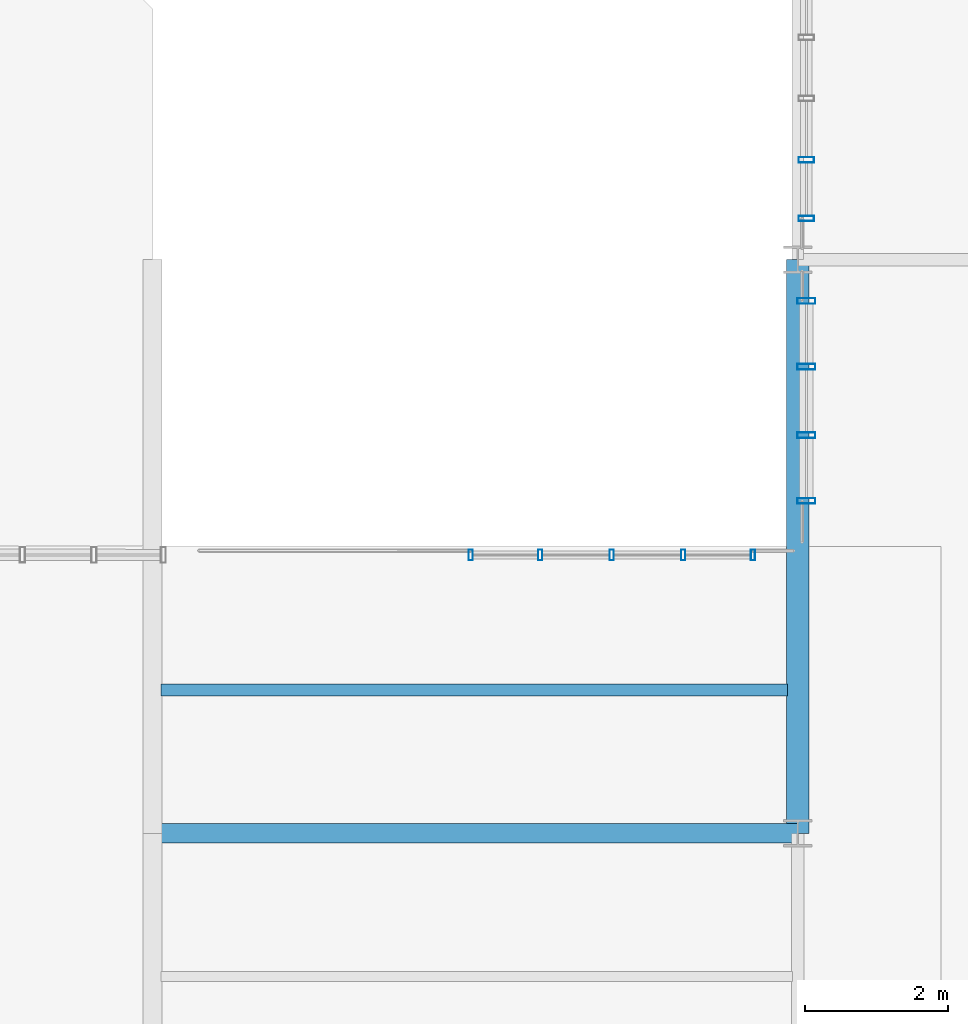
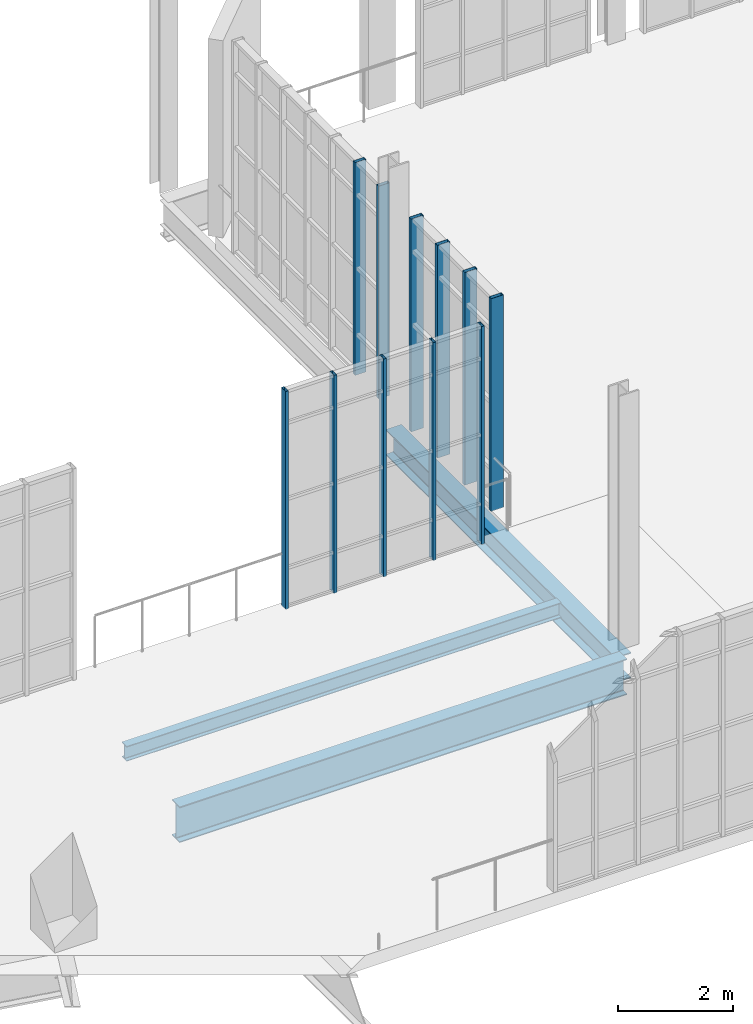
# One storey, part 61 of 142: 11 members, 3 beams, 3 elements without a shape of their own.
"""IFC4 building model written with IfcOpenShell, lengths in metres."""

from ifc_helpers import new_model, si_unit, direction, frame, origin, origin_2d, place, context, subcontext, project, spatial, hollow_rectangle, i_section, extrude, material, layer, layer_set, material_profile, profile_set, type_object, element, aggregate, save


model = new_model("IFC4")

# Units and contexts
model_context = context("Model", 3, precision=1e-05, world=origin(), true_north=direction((0.0, 1.0)))
body_context = subcontext(model_context, "Body", "Model", "MODEL_VIEW")
ifc_project = project(units=[si_unit("LENGTHUNIT", "METRE"), si_unit("AREAUNIT", "SQUARE_METRE"), si_unit("VOLUMEUNIT", "CUBIC_METRE"), si_unit("PLANEANGLEUNIT", "RADIAN"), si_unit("MASSUNIT", "GRAM", prefix="KILO"), si_unit("THERMODYNAMICTEMPERATUREUNIT", "KELVIN"), si_unit("POWERUNIT", "WATT")], contexts=[model_context])

# Site, building, storey
site_placement = place(None, origin())
site = spatial("IfcSite", under=ifc_project, at=site_placement, CompositionType="ELEMENT")
building_placement = place(site_placement, origin())
building = spatial("IfcBuilding", under=site, at=building_placement, Name="Zelmaris Science Centre", CompositionType="ELEMENT")
storey_placement = place(building_placement, frame((0.0, 0.0, 5.39990234375)))
storey = spatial("IfcBuildingStorey", under=building, at=storey_placement, Name="L01", CompositionType="ELEMENT", Elevation=5.39990234375)

# Curtain wall, members
ifc_material_1 = material(Name="Anodised architectural aluminium 6063-T6", Category="aluminium")
ifc_layer_1 = layer(ifc_material_1, 0.219970703125, Name="Anodised architectural aluminium 6063-T6")
ifc_layer_set_1 = layer_set([ifc_layer_1], Name="Anodised architectural aluminium 6063-T6")
curtain_wall_type_1 = type_object("IfcCurtainWallType", Name="Curtain Wall CW-04", PredefinedType="USERDEFINED", material=ifc_layer_set_1)
curtain_wall_1_placement = place(storey_placement, origin())
curtain_wall_1 = element("IfcCurtainWall", 1, at=curtain_wall_1_placement, inside=storey, type_object=curtain_wall_type_1, Name="L01 Unitised curtain wall 128", ObjectType="GLAZED CURTAIN WALL", PredefinedType="USERDEFINED")
ifc_material_profile_1 = material_profile(ifc_material_1, hollow_rectangle(XDim=0.06005859375, YDim=0.14990234375, WallThickness=0.00341796875, at=origin_2d()), Name="ALU-MUL-60X150")
ifc_profile_set_1 = profile_set([ifc_material_profile_1], Name="Anodised architectural aluminium 6063-T6")
member_type_1 = type_object("IfcMemberType", Name="ALU-MUL-60X150", PredefinedType="MULLION", material=ifc_profile_set_1)
member_1_placement = place(storey_placement, frame((49.43701171875, 75.880859375, -0.014892578125), z_axis=(0.0, 0.0, 1.0), x_axis=(0.999999981234, -0.000193731546, 0.0)))
member_1 = element("IfcMember", 2, at=member_1_placement, type_object=member_type_1, Name="CW-04 mullion 1", PredefinedType="MULLION", context=body_context, shape_type="SweptSolid", body=[
    extrude(hollow_rectangle(XDim=0.06005859375, YDim=0.14990234375, WallThickness=0.00341796875, at=origin_2d()), origin(), (0.0, 0.0, 1.0), 4.635009765625),
])
member_2_placement = place(storey_placement, frame((50.408203125, 75.880615234375, -0.014892578125), z_axis=(0.0, 0.0, 1.0), x_axis=(0.999999981234, -0.000193731546, 0.0)))
member_2 = element("IfcMember", 3, at=member_2_placement, type_object=member_type_1, Name="CW-04 mullion 2", PredefinedType="MULLION", context=body_context, shape_type="SweptSolid", body=[
    extrude(hollow_rectangle(XDim=0.06005859375, YDim=0.14990234375, WallThickness=0.00341796875, at=origin_2d()), origin(), (0.0, 0.0, 1.0), 4.635009765625),
])
member_3_placement = place(storey_placement, frame((51.405517578125, 75.880615234375, -0.014892578125), z_axis=(0.0, 0.0, 1.0), x_axis=(0.999999981234, -0.000193731546, 0.0)))
member_3 = element("IfcMember", 4, at=member_3_placement, type_object=member_type_1, Name="CW-04 mullion 3", PredefinedType="MULLION", context=body_context, shape_type="SweptSolid", body=[
    extrude(hollow_rectangle(XDim=0.06005859375, YDim=0.14990234375, WallThickness=0.00341796875, at=origin_2d()), origin(), (0.0, 0.0, 1.0), 4.635009765625),
])
member_4_placement = place(storey_placement, frame((52.40283203125, 75.88037109375, -0.014892578125), z_axis=(0.0, 0.0, 1.0), x_axis=(0.999999981234, -0.000193731546, 0.0)))
member_4 = element("IfcMember", 5, at=member_4_placement, type_object=member_type_1, Name="CW-04 mullion 4", PredefinedType="MULLION", context=body_context, shape_type="SweptSolid", body=[
    extrude(hollow_rectangle(XDim=0.06005859375, YDim=0.14990234375, WallThickness=0.00341796875, at=origin_2d()), origin(), (0.0, 0.0, 1.0), 4.635009765625),
])
member_5_placement = place(storey_placement, frame((53.3740234375, 75.880126953125, -0.014892578125), z_axis=(0.0, 0.0, 1.0), x_axis=(0.999999981234, -0.000193731546, 0.0)))
member_5 = element("IfcMember", 6, at=member_5_placement, type_object=member_type_1, Name="CW-04 mullion 5", PredefinedType="MULLION", context=body_context, shape_type="SweptSolid", body=[
    extrude(hollow_rectangle(XDim=0.06005859375, YDim=0.14990234375, WallThickness=0.00341796875, at=origin_2d()), origin(), (0.0, 0.0, 1.0), 4.635009765625),
])
aggregate(curtain_wall_1, [member_1, member_2, member_3, member_4, member_5])

ifc_layer_2 = layer(ifc_material_1, 0.199951171875, Name="Anodised architectural aluminium 6063-T6")
ifc_layer_set_2 = layer_set([ifc_layer_2], Name="Anodised architectural aluminium 6063-T6")
curtain_wall_type_2 = type_object("IfcCurtainWallType", Name="Curtain Wall CW-02", PredefinedType="USERDEFINED", material=ifc_layer_set_2)
curtain_wall_2_placement = place(storey_placement, origin())
curtain_wall_2 = element("IfcCurtainWall", 7, at=curtain_wall_2_placement, inside=storey, type_object=curtain_wall_type_2, Name="L01 Unitised curtain wall 130", ObjectType="GLAZED CURTAIN WALL", PredefinedType="USERDEFINED")
ifc_material_profile_2 = material_profile(ifc_material_1, hollow_rectangle(XDim=0.074951171875, YDim=0.219970703125, WallThickness=0.0048828125, at=origin_2d()), Name="ALU-MUL-75X220")
ifc_profile_set_2 = profile_set([ifc_material_profile_2], Name="Anodised architectural aluminium 6063-T6")
member_type_2 = type_object("IfcMemberType", Name="ALU-MUL-75X220", PredefinedType="MULLION", material=ifc_profile_set_2)
member_6_placement = place(storey_placement, frame((54.1201171875, 80.573486328125, -0.014892578125), z_axis=(0.0, 0.0, 1.0), x_axis=(6.981317e-06, 0.999999999976, 0.0)))
member_6 = element("IfcMember", 8, at=member_6_placement, type_object=member_type_2, Name="CW-02 mullion 1", PredefinedType="MULLION", context=body_context, shape_type="SweptSolid", body=[
    extrude(hollow_rectangle(XDim=0.074951171875, YDim=0.219970703125, WallThickness=0.0048828125, at=origin_2d()), origin(), (0.0, 0.0, 1.0), 4.52099609375),
])
member_7_placement = place(storey_placement, frame((54.1201171875, 81.393310546875, -0.014892578125), z_axis=(0.0, 0.0, 1.0), x_axis=(6.981317e-06, 0.999999999976, 0.0)))
member_7 = element("IfcMember", 9, at=member_7_placement, type_object=member_type_2, Name="CW-02 mullion 2", PredefinedType="MULLION", context=body_context, shape_type="SweptSolid", body=[
    extrude(hollow_rectangle(XDim=0.074951171875, YDim=0.219970703125, WallThickness=0.0048828125, at=origin_2d()), origin(), (0.0, 0.0, 1.0), 4.52099609375),
])
aggregate(curtain_wall_2, [member_6, member_7])

ifc_layer_3 = layer(ifc_material_1, 0.18994140625, Name="Anodised architectural aluminium 6063-T6")
ifc_layer_set_3 = layer_set([ifc_layer_3], Name="Anodised architectural aluminium 6063-T6")
curtain_wall_type_3 = type_object("IfcCurtainWallType", Name="Curtain Wall CW-01", PredefinedType="USERDEFINED", material=ifc_layer_set_3)
curtain_wall_3_placement = place(storey_placement, origin())
curtain_wall_3 = element("IfcCurtainWall", 10, at=curtain_wall_3_placement, inside=storey, type_object=curtain_wall_type_3, Name="L01 Unitised curtain wall 129", ObjectType="GLAZED CURTAIN WALL", PredefinedType="USERDEFINED")
ifc_material_profile_3 = material_profile(ifc_material_1, hollow_rectangle(XDim=0.080078125, YDim=0.25, WallThickness=0.0048828125, at=origin_2d()), Name="ALU-MUL-80X250")
ifc_profile_set_3 = profile_set([ifc_material_profile_3], Name="Anodised architectural aluminium 6063-T6")
member_type_3 = type_object("IfcMemberType", Name="ALU-MUL-80X250", PredefinedType="MULLION", material=ifc_profile_set_3)
member_8_placement = place(storey_placement, frame((54.1201171875, 76.635986328125, -0.014892578125), z_axis=(0.0, 0.0, 1.0), x_axis=(6.981317e-06, 0.999999999976, 0.0)))
member_8 = element("IfcMember", 11, at=member_8_placement, type_object=member_type_3, Name="CW-01 mullion 1", PredefinedType="MULLION", context=body_context, shape_type="SweptSolid", body=[
    extrude(hollow_rectangle(XDim=0.080078125, YDim=0.25, WallThickness=0.0048828125, at=origin_2d()), origin(), (0.0, 0.0, 1.0), 4.52099609375),
])
member_9_placement = place(storey_placement, frame((54.1201171875, 77.55322265625, -0.014892578125), z_axis=(0.0, 0.0, 1.0), x_axis=(6.981317e-06, 0.999999999976, 0.0)))
member_9 = element("IfcMember", 12, at=member_9_placement, type_object=member_type_3, Name="CW-01 mullion 2", PredefinedType="MULLION", context=body_context, shape_type="SweptSolid", body=[
    extrude(hollow_rectangle(XDim=0.080078125, YDim=0.25, WallThickness=0.0048828125, at=origin_2d()), origin(), (0.0, 0.0, 1.0), 4.52099609375),
])
member_10_placement = place(storey_placement, frame((54.1201171875, 78.506591796875, -0.014892578125), z_axis=(0.0, 0.0, 1.0), x_axis=(6.981317e-06, 0.999999999976, 0.0)))
member_10 = element("IfcMember", 13, at=member_10_placement, type_object=member_type_3, Name="CW-01 mullion 3", PredefinedType="MULLION", context=body_context, shape_type="SweptSolid", body=[
    extrude(hollow_rectangle(XDim=0.080078125, YDim=0.25, WallThickness=0.0048828125, at=origin_2d()), origin(), (0.0, 0.0, 1.0), 4.52099609375),
])
member_11_placement = place(storey_placement, frame((54.1201171875, 79.424072265625, -0.014892578125), z_axis=(0.0, 0.0, 1.0), x_axis=(6.981317e-06, 0.999999999976, 0.0)))
member_11 = element("IfcMember", 14, at=member_11_placement, type_object=member_type_3, Name="CW-01 mullion 4", PredefinedType="MULLION", context=body_context, shape_type="SweptSolid", body=[
    extrude(hollow_rectangle(XDim=0.080078125, YDim=0.25, WallThickness=0.0048828125, at=origin_2d()), origin(), (0.0, 0.0, 1.0), 4.52099609375),
])
aggregate(curtain_wall_3, [member_8, member_9, member_10, member_11])

# Beams
ifc_material_2 = material(Name="Steel ASTM A992 Grade 50", Category="steel")
ifc_material_profile_4 = material_profile(ifc_material_2, i_section(OverallWidth=0.26708984375, OverallDepth=0.761962890625, WebThickness=0.014404296875, FlangeThickness=0.021484375, FilletRadius=0.01904296875, at=origin_2d()), Name="W30X116")
ifc_profile_set_4 = profile_set([ifc_material_profile_4], Name="Steel ASTM A992 Grade 50")
beam_type_1 = type_object("IfcBeamType", Name="Beam G-33 W30X116", PredefinedType="BEAM", material=ifc_profile_set_4)
beam_1_placement = place(storey_placement, frame((45.0, 72.0, -0.660888671875), z_axis=(1.0, 0.0, 0.0), x_axis=(0.0, 1.0, 0.0)))
element("IfcBeam", 15, at=beam_1_placement, inside=storey, type_object=beam_type_1, Name="L01 East-west girder 394", PredefinedType="BEAM", context=body_context, shape_type="SweptSolid", body=[
    extrude(i_section(OverallWidth=0.26708984375, OverallDepth=0.761962890625, WebThickness=0.014404296875, FlangeThickness=0.021484375, FilletRadius=0.01904296875, at=origin_2d()), origin(), (0.0, 0.0, 1.0), 9.0),
])
ifc_material_profile_5 = material_profile(ifc_material_2, i_section(OverallWidth=0.31201171875, OverallDepth=0.5458984375, WebThickness=0.013916015625, FlangeThickness=0.022216796875, FilletRadius=0.013916015625, at=origin_2d()), Name="W21X111")
ifc_profile_set_5 = profile_set([ifc_material_profile_5], Name="Steel ASTM A992 Grade 50")
beam_type_2 = type_object("IfcBeamType", Name="Beam G-39 W21X111", PredefinedType="BEAM", material=ifc_profile_set_5)
beam_2_placement = place(storey_placement, frame((54.0, 72.0, -0.552978515625), z_axis=(0.0, 1.0, 0.0), x_axis=(-1.0, 0.0, 0.0)))
element("IfcBeam", 16, at=beam_2_placement, inside=storey, type_object=beam_type_2, Name="L01 North-south girder 276", PredefinedType="BEAM", context=body_context, shape_type="SweptSolid", body=[
    extrude(i_section(OverallWidth=0.31201171875, OverallDepth=0.5458984375, WebThickness=0.013916015625, FlangeThickness=0.022216796875, FilletRadius=0.013916015625, at=origin_2d()), origin(), (0.0, 0.0, 1.0), 8.0),
])
ifc_material_profile_6 = material_profile(ifc_material_2, i_section(OverallWidth=0.1669921875, OverallDepth=0.318115234375, WebThickness=0.007568359375, FlangeThickness=0.01318359375, FilletRadius=0.011962890625, at=origin_2d()), Name="W12X35")
ifc_profile_set_6 = profile_set([ifc_material_profile_6], Name="Steel ASTM A992 Grade 50")
beam_type_3 = type_object("IfcBeamType", Name="Beam J-09 W12X35", PredefinedType="JOIST", material=ifc_profile_set_6)
beam_3_placement = place(storey_placement, frame((45.118408203125, 74.0, -0.43896484375), z_axis=(1.0, 0.0, 0.0), x_axis=(0.0, 1.0, 0.0)))
element("IfcBeam", 17, at=beam_3_placement, inside=storey, type_object=beam_type_3, Name="L01 Composite floor joist 143", PredefinedType="JOIST", context=body_context, shape_type="SweptSolid", body=[
    extrude(i_section(OverallWidth=0.1669921875, OverallDepth=0.318115234375, WebThickness=0.007568359375, FlangeThickness=0.01318359375, FilletRadius=0.011962890625, at=origin_2d()), origin(), (0.0, 0.0, 1.0), 8.740478515625),
])

save(model, "model.ifc")
